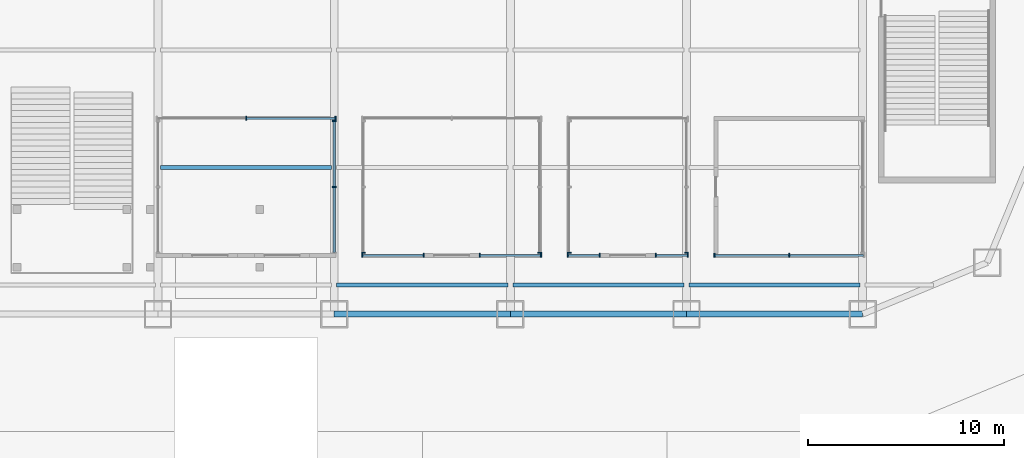
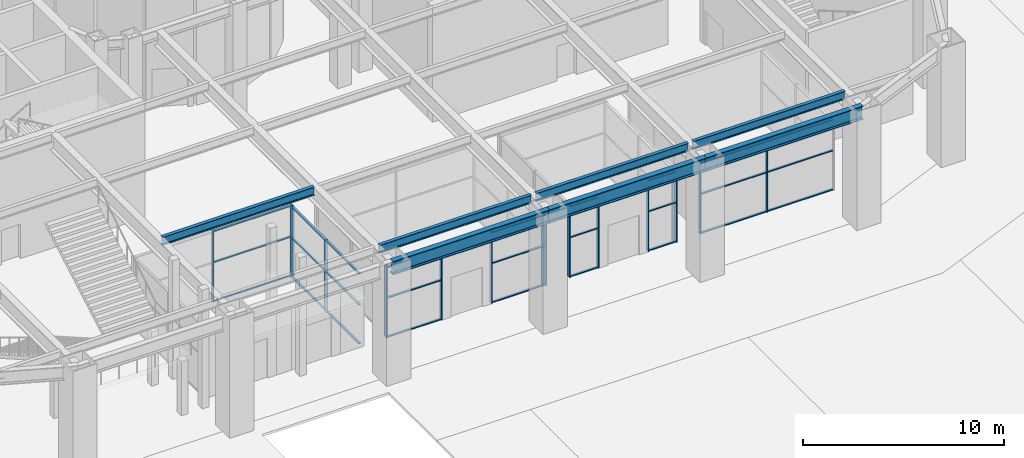
# One storey, part 3 of 20: 45 members, 7 beams, 11 elements without a shape of their own.
"""IFC4 building model written with IfcOpenShell, lengths in metres."""

from ifc_helpers import new_model, si_unit, direction, frame, origin, origin_2d, place, context, subcontext, project, spatial, rectangle, i_section, extrude, material, layer, layer_set, material_profile, profile_set, type_object, element, aggregate, save


model = new_model("IFC4")

# Units and contexts
model_context = context("Model", 3, precision=1e-05, world=origin(), true_north=direction((0.0, 1.0)))
body_context = subcontext(model_context, "Body", "Model", "MODEL_VIEW")
ifc_project = project(units=[si_unit("LENGTHUNIT", "METRE"), si_unit("AREAUNIT", "SQUARE_METRE"), si_unit("VOLUMEUNIT", "CUBIC_METRE"), si_unit("PLANEANGLEUNIT", "RADIAN"), si_unit("MASSUNIT", "GRAM", prefix="KILO")], contexts=[model_context])

# Site, building, storey
site_placement = place(None, origin())
site = spatial("IfcSite", under=ifc_project, at=site_placement, CompositionType="ELEMENT")
building_placement = place(site_placement, origin())
building = spatial("IfcBuilding", under=site, at=building_placement, Name="Siwar Civic Tower", CompositionType="ELEMENT")
storey_placement = place(building_placement, origin())
storey = spatial("IfcBuildingStorey", under=building, at=storey_placement, Name="L00", CompositionType="ELEMENT", Elevation=0.0)

# Curtain wall, members
ifc_material_1 = material(Name="Aluminium and glass", Category="aluminium")
ifc_layer = layer(ifc_material_1, 0.199951171875)
ifc_layer_set = layer_set([ifc_layer], Name="Aluminium and glass")
curtain_wall_type = type_object("IfcCurtainWallType", Name="GND-CWG", PredefinedType="NOTDEFINED", material=ifc_layer_set)
curtain_wall_1_placement = place(storey_placement, origin())
curtain_wall_1 = element("IfcCurtainWall", 1, at=curtain_wall_1_placement, inside=storey, type_object=curtain_wall_type, Name="Glazed screen P01", PredefinedType="NOTDEFINED")
ifc_material_2 = material(Name="Aluminium", Category="aluminium")
ifc_material_profile_1 = material_profile(ifc_material_2, rectangle(XDim=0.199951171875, YDim=0.06005859375, at=origin_2d()), Name="AL 200x60")
ifc_profile_set_1 = profile_set([ifc_material_profile_1], Name="Aluminium")
member_type_1 = type_object("IfcMemberType", Name="GND-CWG-MULLION", PredefinedType="MULLION", material=ifc_profile_set_1)
member_1_placement = place(storey_placement, frame((-4.5, -25.0, 0.0), z_axis=(0.0, 0.0, 1.0), x_axis=(-1.0, 0.0, 0.0)))
member_1 = element("IfcMember", 2, at=member_1_placement, type_object=member_type_1, Name="CW-G mullion 2", PredefinedType="MULLION", context=body_context, shape_type="SweptSolid", body=[
    extrude(rectangle(XDim=0.199951171875, YDim=0.06005859375, at=origin_2d()), origin(), (0.0, 0.0, 1.0), 4.300048828125),
])
member_2_placement = place(storey_placement, frame((-4.5, -21.6298828125, 0.0), z_axis=(0.0, 0.0, 1.0), x_axis=(-1.0, 0.0, 0.0)))
member_2 = element("IfcMember", 3, at=member_2_placement, type_object=member_type_1, Name="CW-G mullion 3", PredefinedType="MULLION", context=body_context, shape_type="SweptSolid", body=[
    extrude(rectangle(XDim=0.199951171875, YDim=0.06005859375, at=origin_2d()), origin(), (0.0, 0.0, 1.0), 4.300048828125),
])

curtain_wall_2_placement = place(storey_placement, origin())
curtain_wall_2 = element("IfcCurtainWall", 4, at=curtain_wall_2_placement, inside=storey, type_object=curtain_wall_type, Name="Glazed screen P01", PredefinedType="NOTDEFINED")
member_3_placement = place(storey_placement, frame((-9.0, -21.5, 0.0), z_axis=(0.0, 0.0, 1.0), x_axis=(0.0, 1.0, 0.0)))
member_3 = element("IfcMember", 5, at=member_3_placement, type_object=member_type_1, Name="CW-G mullion 2", PredefinedType="MULLION", context=body_context, shape_type="SweptSolid", body=[
    extrude(rectangle(XDim=0.199951171875, YDim=0.06005859375, at=origin_2d()), origin(), (0.0, 0.0, 1.0), 4.300048828125),
])
member_4_placement = place(storey_placement, frame((-4.429931640625, -21.5, 0.0), z_axis=(0.0, 0.0, 1.0), x_axis=(0.0, 1.0, 0.0)))
member_4 = element("IfcMember", 6, at=member_4_placement, type_object=member_type_1, Name="CW-G mullion 3", PredefinedType="MULLION", context=body_context, shape_type="SweptSolid", body=[
    extrude(rectangle(XDim=0.199951171875, YDim=0.06005859375, at=origin_2d()), origin(), (0.0, 0.0, 1.0), 4.300048828125),
])

curtain_wall_3_placement = place(storey_placement, origin())
curtain_wall_3 = element("IfcCurtainWall", 7, at=curtain_wall_3_placement, inside=storey, type_object=curtain_wall_type, Name="Glazed screen P04", PredefinedType="NOTDEFINED")
member_5_placement = place(storey_placement, frame((7.429931640625, -28.5, 0.0), z_axis=(0.0, 0.0, 1.0), x_axis=(0.0, 1.0, 0.0)))
member_5 = element("IfcMember", 8, at=member_5_placement, type_object=member_type_1, Name="CW-G mullion 1", PredefinedType="MULLION", context=body_context, shape_type="SweptSolid", body=[
    extrude(rectangle(XDim=0.199951171875, YDim=0.06005859375, at=origin_2d()), origin(), (0.0, 0.0, 1.0), 4.300048828125),
])
member_6_placement = place(storey_placement, frame((9.070068359375, -28.5, 0.0), z_axis=(0.0, 0.0, 1.0), x_axis=(0.0, 1.0, 0.0)))
member_6 = element("IfcMember", 9, at=member_6_placement, type_object=member_type_1, Name="CW-G mullion 2", PredefinedType="MULLION", context=body_context, shape_type="SweptSolid", body=[
    extrude(rectangle(XDim=0.199951171875, YDim=0.06005859375, at=origin_2d()), origin(), (0.0, 0.0, 1.0), 4.300048828125),
])

curtain_wall_4_placement = place(storey_placement, origin())
curtain_wall_4 = element("IfcCurtainWall", 10, at=curtain_wall_4_placement, inside=storey, type_object=curtain_wall_type, Name="Glazed screen P04", PredefinedType="NOTDEFINED")
member_7_placement = place(storey_placement, frame((11.929931640625, -28.5, 0.0), z_axis=(0.0, 0.0, 1.0), x_axis=(0.0, 1.0, 0.0)))
member_7 = element("IfcMember", 11, at=member_7_placement, type_object=member_type_1, Name="CW-G mullion 1", PredefinedType="MULLION", context=body_context, shape_type="SweptSolid", body=[
    extrude(rectangle(XDim=0.199951171875, YDim=0.06005859375, at=origin_2d()), origin(), (0.0, 0.0, 1.0), 4.300048828125),
])
member_8_placement = place(storey_placement, frame((13.570068359375, -28.5, 0.0), z_axis=(0.0, 0.0, 1.0), x_axis=(0.0, 1.0, 0.0)))
member_8 = element("IfcMember", 12, at=member_8_placement, type_object=member_type_1, Name="CW-G mullion 2", PredefinedType="MULLION", context=body_context, shape_type="SweptSolid", body=[
    extrude(rectangle(XDim=0.199951171875, YDim=0.06005859375, at=origin_2d()), origin(), (0.0, 0.0, 1.0), 4.300048828125),
])

# Curtain wall, member
curtain_wall_5_placement = place(storey_placement, origin())
curtain_wall_5 = element("IfcCurtainWall", 13, at=curtain_wall_5_placement, inside=storey, type_object=curtain_wall_type, Name="Glazed screen P04", PredefinedType="NOTDEFINED")
member_9_placement = place(storey_placement, frame((13.5, -28.3701171875, 0.0), z_axis=(0.0, 0.0, 1.0), x_axis=(-1.0, 0.0, 0.0)))
member_9 = element("IfcMember", 14, at=member_9_placement, type_object=member_type_1, Name="CW-G mullion 1", PredefinedType="MULLION", context=body_context, shape_type="SweptSolid", body=[
    extrude(rectangle(XDim=0.199951171875, YDim=0.06005859375, at=origin_2d()), origin(), (0.0, 0.0, 1.0), 4.300048828125),
])
aggregate(curtain_wall_5, [member_9])

curtain_wall_6_placement = place(storey_placement, origin())
curtain_wall_6 = element("IfcCurtainWall", 15, at=curtain_wall_6_placement, inside=storey, type_object=curtain_wall_type, Name="Glazed screen P04", PredefinedType="NOTDEFINED")
member_10_placement = place(storey_placement, frame((7.5, -28.3701171875, 0.0), z_axis=(0.0, 0.0, 1.0), x_axis=(-1.0, 0.0, 0.0)))
member_10 = element("IfcMember", 16, at=member_10_placement, type_object=member_type_1, Name="CW-G mullion 1", PredefinedType="MULLION", context=body_context, shape_type="SweptSolid", body=[
    extrude(rectangle(XDim=0.199951171875, YDim=0.06005859375, at=origin_2d()), origin(), (0.0, 0.0, 1.0), 4.300048828125),
])
aggregate(curtain_wall_6, [member_10])

# Curtain wall, members
curtain_wall_7_placement = place(storey_placement, origin())
curtain_wall_7 = element("IfcCurtainWall", 17, at=curtain_wall_7_placement, inside=storey, type_object=curtain_wall_type, Name="Glazed screen P05", PredefinedType="NOTDEFINED")
member_11_placement = place(storey_placement, frame((-3.070068359375, -28.5, 0.0), z_axis=(0.0, 0.0, 1.0), x_axis=(0.0, 1.0, 0.0)))
member_11 = element("IfcMember", 18, at=member_11_placement, type_object=member_type_1, Name="CW-G mullion 1", PredefinedType="MULLION", context=body_context, shape_type="SweptSolid", body=[
    extrude(rectangle(XDim=0.199951171875, YDim=0.06005859375, at=origin_2d()), origin(), (0.0, 0.0, 1.0), 4.300048828125),
])
member_12_placement = place(storey_placement, frame((0.070068359375, -28.5, 0.0), z_axis=(0.0, 0.0, 1.0), x_axis=(0.0, 1.0, 0.0)))
member_12 = element("IfcMember", 19, at=member_12_placement, type_object=member_type_1, Name="CW-G mullion 2", PredefinedType="MULLION", context=body_context, shape_type="SweptSolid", body=[
    extrude(rectangle(XDim=0.199951171875, YDim=0.06005859375, at=origin_2d()), origin(), (0.0, 0.0, 1.0), 4.300048828125),
])

curtain_wall_8_placement = place(storey_placement, origin())
curtain_wall_8 = element("IfcCurtainWall", 20, at=curtain_wall_8_placement, inside=storey, type_object=curtain_wall_type, Name="Glazed screen P05", PredefinedType="NOTDEFINED")
member_13_placement = place(storey_placement, frame((2.929931640625, -28.5, 0.0), z_axis=(0.0, 0.0, 1.0), x_axis=(0.0, 1.0, 0.0)))
member_13 = element("IfcMember", 21, at=member_13_placement, type_object=member_type_1, Name="CW-G mullion 1", PredefinedType="MULLION", context=body_context, shape_type="SweptSolid", body=[
    extrude(rectangle(XDim=0.199951171875, YDim=0.06005859375, at=origin_2d()), origin(), (0.0, 0.0, 1.0), 4.300048828125),
])
member_14_placement = place(storey_placement, frame((6.070068359375, -28.5, 0.0), z_axis=(0.0, 0.0, 1.0), x_axis=(0.0, 1.0, 0.0)))
member_14 = element("IfcMember", 22, at=member_14_placement, type_object=member_type_1, Name="CW-G mullion 2", PredefinedType="MULLION", context=body_context, shape_type="SweptSolid", body=[
    extrude(rectangle(XDim=0.199951171875, YDim=0.06005859375, at=origin_2d()), origin(), (0.0, 0.0, 1.0), 4.300048828125),
])

# Curtain wall, member
curtain_wall_9_placement = place(storey_placement, origin())
curtain_wall_9 = element("IfcCurtainWall", 23, at=curtain_wall_9_placement, inside=storey, type_object=curtain_wall_type, Name="Glazed screen P05", PredefinedType="NOTDEFINED")
member_15_placement = place(storey_placement, frame((6.0, -28.3701171875, 0.0), z_axis=(0.0, 0.0, 1.0), x_axis=(-1.0, 0.0, 0.0)))
member_15 = element("IfcMember", 24, at=member_15_placement, type_object=member_type_1, Name="CW-G mullion 1", PredefinedType="MULLION", context=body_context, shape_type="SweptSolid", body=[
    extrude(rectangle(XDim=0.199951171875, YDim=0.06005859375, at=origin_2d()), origin(), (0.0, 0.0, 1.0), 4.300048828125),
])
aggregate(curtain_wall_9, [member_15])

curtain_wall_10_placement = place(storey_placement, origin())
curtain_wall_10 = element("IfcCurtainWall", 25, at=curtain_wall_10_placement, inside=storey, type_object=curtain_wall_type, Name="Glazed screen P05", PredefinedType="NOTDEFINED")
member_16_placement = place(storey_placement, frame((-3.0, -28.3701171875, 0.0), z_axis=(0.0, 0.0, 1.0), x_axis=(-1.0, 0.0, 0.0)))
member_16 = element("IfcMember", 26, at=member_16_placement, type_object=member_type_1, Name="CW-G mullion 1", PredefinedType="MULLION", context=body_context, shape_type="SweptSolid", body=[
    extrude(rectangle(XDim=0.199951171875, YDim=0.06005859375, at=origin_2d()), origin(), (0.0, 0.0, 1.0), 4.300048828125),
])
aggregate(curtain_wall_10, [member_16])

# Curtain wall, members
curtain_wall_11_placement = place(storey_placement, origin())
curtain_wall_11 = element("IfcCurtainWall", 27, at=curtain_wall_11_placement, inside=storey, type_object=curtain_wall_type, Name="Glazed screen P11", PredefinedType="NOTDEFINED")
member_17_placement = place(storey_placement, frame((14.929931640625, -28.5, 0.0), z_axis=(0.0, 0.0, 1.0), x_axis=(0.0, 1.0, 0.0)))
member_17 = element("IfcMember", 28, at=member_17_placement, type_object=member_type_1, Name="CW-G mullion 1", PredefinedType="MULLION", context=body_context, shape_type="SweptSolid", body=[
    extrude(rectangle(XDim=0.199951171875, YDim=0.06005859375, at=origin_2d()), origin(), (0.0, 0.0, 1.0), 4.300048828125),
])
member_18_placement = place(storey_placement, frame((18.75, -28.5, 0.0), z_axis=(0.0, 0.0, 1.0), x_axis=(0.0, 1.0, 0.0)))
member_18 = element("IfcMember", 29, at=member_18_placement, type_object=member_type_1, Name="CW-G mullion 2", PredefinedType="MULLION", context=body_context, shape_type="SweptSolid", body=[
    extrude(rectangle(XDim=0.199951171875, YDim=0.06005859375, at=origin_2d()), origin(), (0.0, 0.0, 1.0), 4.300048828125),
])

# Member
ifc_material_3 = material(Name="Aluminium", Category="aluminium")
ifc_material_profile_2 = material_profile(ifc_material_3, rectangle(XDim=0.1201171875, YDim=0.06005859375, at=origin_2d()), Name="AL 120x60")
ifc_profile_set_2 = profile_set([ifc_material_profile_2], Name="Aluminium")
member_type_2 = type_object("IfcMemberType", Name="GND-CWG-TRANSOM", PredefinedType="USERDEFINED", material=ifc_profile_set_2)
member_19_placement = place(storey_placement, frame((-4.5, -28.340087890625, 0.030029296875), z_axis=(0.0, 1.0, 0.0), x_axis=(-1.0, 0.0, 0.0)))
member_19 = element("IfcMember", 30, at=member_19_placement, type_object=member_type_2, Name="CW-G transom 1.1", ObjectType="TRANSOM", PredefinedType="USERDEFINED", context=body_context, shape_type="SweptSolid", body=[
    extrude(rectangle(XDim=0.1201171875, YDim=0.06005859375, at=origin_2d()), origin(), (0.0, 0.0, 1.0), 3.31005859375),
])

member_20_placement = place(storey_placement, frame((-4.5, -28.340087890625, 2.39990234375), z_axis=(0.0, 1.0, 0.0), x_axis=(-1.0, 0.0, 0.0)))
member_20 = element("IfcMember", 31, at=member_20_placement, type_object=member_type_2, Name="CW-G transom 1.2", ObjectType="TRANSOM", PredefinedType="USERDEFINED", context=body_context, shape_type="SweptSolid", body=[
    extrude(rectangle(XDim=0.1201171875, YDim=0.06005859375, at=origin_2d()), origin(), (0.0, 0.0, 1.0), 3.31005859375),
])

member_21_placement = place(storey_placement, frame((-4.5, -28.340087890625, 4.27001953125), z_axis=(0.0, 1.0, 0.0), x_axis=(-1.0, 0.0, 0.0)))
member_21 = element("IfcMember", 32, at=member_21_placement, type_object=member_type_2, Name="CW-G transom 1.3", ObjectType="TRANSOM", PredefinedType="USERDEFINED", context=body_context, shape_type="SweptSolid", body=[
    extrude(rectangle(XDim=0.1201171875, YDim=0.06005859375, at=origin_2d()), origin(), (0.0, 0.0, 1.0), 3.31005859375),
])

member_22_placement = place(storey_placement, frame((-4.5, -24.969970703125, 0.030029296875), z_axis=(0.0, 1.0, 0.0), x_axis=(-1.0, 0.0, 0.0)))
member_22 = element("IfcMember", 33, at=member_22_placement, type_object=member_type_2, Name="CW-G transom 2.1", ObjectType="TRANSOM", PredefinedType="USERDEFINED", context=body_context, shape_type="SweptSolid", body=[
    extrude(rectangle(XDim=0.1201171875, YDim=0.06005859375, at=origin_2d()), origin(), (0.0, 0.0, 1.0), 3.31005859375),
])

member_23_placement = place(storey_placement, frame((-4.5, -24.969970703125, 2.39990234375), z_axis=(0.0, 1.0, 0.0), x_axis=(-1.0, 0.0, 0.0)))
member_23 = element("IfcMember", 34, at=member_23_placement, type_object=member_type_2, Name="CW-G transom 2.2", ObjectType="TRANSOM", PredefinedType="USERDEFINED", context=body_context, shape_type="SweptSolid", body=[
    extrude(rectangle(XDim=0.1201171875, YDim=0.06005859375, at=origin_2d()), origin(), (0.0, 0.0, 1.0), 3.31005859375),
])

member_24_placement = place(storey_placement, frame((-4.5, -24.969970703125, 4.27001953125), z_axis=(0.0, 1.0, 0.0), x_axis=(-1.0, 0.0, 0.0)))
member_24 = element("IfcMember", 35, at=member_24_placement, type_object=member_type_2, Name="CW-G transom 2.3", ObjectType="TRANSOM", PredefinedType="USERDEFINED", context=body_context, shape_type="SweptSolid", body=[
    extrude(rectangle(XDim=0.1201171875, YDim=0.06005859375, at=origin_2d()), origin(), (0.0, 0.0, 1.0), 3.31005859375),
])

aggregate(curtain_wall_1, [member_1, member_2, member_19, member_20, member_21, member_22, member_23, member_24])

member_25_placement = place(storey_placement, frame((-8.969970703125, -21.5, 0.030029296875), z_axis=(1.0, 0.0, 0.0), x_axis=(0.0, 1.0, 0.0)))
member_25 = element("IfcMember", 36, at=member_25_placement, type_object=member_type_2, Name="CW-G transom 2.1", ObjectType="TRANSOM", PredefinedType="USERDEFINED", context=body_context, shape_type="SweptSolid", body=[
    extrude(rectangle(XDim=0.1201171875, YDim=0.06005859375, at=origin_2d()), origin(), (0.0, 0.0, 1.0), 4.510009765625),
])

member_26_placement = place(storey_placement, frame((-8.969970703125, -21.5, 2.39990234375), z_axis=(1.0, 0.0, 0.0), x_axis=(0.0, 1.0, 0.0)))
member_26 = element("IfcMember", 37, at=member_26_placement, type_object=member_type_2, Name="CW-G transom 2.2", ObjectType="TRANSOM", PredefinedType="USERDEFINED", context=body_context, shape_type="SweptSolid", body=[
    extrude(rectangle(XDim=0.1201171875, YDim=0.06005859375, at=origin_2d()), origin(), (0.0, 0.0, 1.0), 4.510009765625),
])

member_27_placement = place(storey_placement, frame((-8.969970703125, -21.5, 4.27001953125), z_axis=(1.0, 0.0, 0.0), x_axis=(0.0, 1.0, 0.0)))
member_27 = element("IfcMember", 38, at=member_27_placement, type_object=member_type_2, Name="CW-G transom 2.3", ObjectType="TRANSOM", PredefinedType="USERDEFINED", context=body_context, shape_type="SweptSolid", body=[
    extrude(rectangle(XDim=0.1201171875, YDim=0.06005859375, at=origin_2d()), origin(), (0.0, 0.0, 1.0), 4.510009765625),
])

aggregate(curtain_wall_2, [member_3, member_4, member_25, member_26, member_27])

member_28_placement = place(storey_placement, frame((7.4599609375, -28.5, 0.030029296875), z_axis=(1.0, 0.0, 0.0), x_axis=(0.0, 1.0, 0.0)))
member_28 = element("IfcMember", 39, at=member_28_placement, type_object=member_type_2, Name="CW-G transom 1.1", ObjectType="TRANSOM", PredefinedType="USERDEFINED", context=body_context, shape_type="SweptSolid", body=[
    extrude(rectangle(XDim=0.1201171875, YDim=0.06005859375, at=origin_2d()), origin(), (0.0, 0.0, 1.0), 1.580078125),
])

member_29_placement = place(storey_placement, frame((7.4599609375, -28.5, 2.39990234375), z_axis=(1.0, 0.0, 0.0), x_axis=(0.0, 1.0, 0.0)))
member_29 = element("IfcMember", 40, at=member_29_placement, type_object=member_type_2, Name="CW-G transom 1.2", ObjectType="TRANSOM", PredefinedType="USERDEFINED", context=body_context, shape_type="SweptSolid", body=[
    extrude(rectangle(XDim=0.1201171875, YDim=0.06005859375, at=origin_2d()), origin(), (0.0, 0.0, 1.0), 1.580078125),
])

member_30_placement = place(storey_placement, frame((7.4599609375, -28.5, 4.27001953125), z_axis=(1.0, 0.0, 0.0), x_axis=(0.0, 1.0, 0.0)))
member_30 = element("IfcMember", 41, at=member_30_placement, type_object=member_type_2, Name="CW-G transom 1.3", ObjectType="TRANSOM", PredefinedType="USERDEFINED", context=body_context, shape_type="SweptSolid", body=[
    extrude(rectangle(XDim=0.1201171875, YDim=0.06005859375, at=origin_2d()), origin(), (0.0, 0.0, 1.0), 1.580078125),
])

aggregate(curtain_wall_3, [member_5, member_6, member_28, member_29, member_30])

member_31_placement = place(storey_placement, frame((11.9599609375, -28.5, 0.030029296875), z_axis=(1.0, 0.0, 0.0), x_axis=(0.0, 1.0, 0.0)))
member_31 = element("IfcMember", 42, at=member_31_placement, type_object=member_type_2, Name="CW-G transom 1.1", ObjectType="TRANSOM", PredefinedType="USERDEFINED", context=body_context, shape_type="SweptSolid", body=[
    extrude(rectangle(XDim=0.1201171875, YDim=0.06005859375, at=origin_2d()), origin(), (0.0, 0.0, 1.0), 1.580078125),
])

member_32_placement = place(storey_placement, frame((11.9599609375, -28.5, 2.39990234375), z_axis=(1.0, 0.0, 0.0), x_axis=(0.0, 1.0, 0.0)))
member_32 = element("IfcMember", 43, at=member_32_placement, type_object=member_type_2, Name="CW-G transom 1.2", ObjectType="TRANSOM", PredefinedType="USERDEFINED", context=body_context, shape_type="SweptSolid", body=[
    extrude(rectangle(XDim=0.1201171875, YDim=0.06005859375, at=origin_2d()), origin(), (0.0, 0.0, 1.0), 1.580078125),
])

member_33_placement = place(storey_placement, frame((11.9599609375, -28.5, 4.27001953125), z_axis=(1.0, 0.0, 0.0), x_axis=(0.0, 1.0, 0.0)))
member_33 = element("IfcMember", 44, at=member_33_placement, type_object=member_type_2, Name="CW-G transom 1.3", ObjectType="TRANSOM", PredefinedType="USERDEFINED", context=body_context, shape_type="SweptSolid", body=[
    extrude(rectangle(XDim=0.1201171875, YDim=0.06005859375, at=origin_2d()), origin(), (0.0, 0.0, 1.0), 1.580078125),
])

aggregate(curtain_wall_4, [member_7, member_8, member_31, member_32, member_33])

member_34_placement = place(storey_placement, frame((-3.0400390625, -28.5, 0.030029296875), z_axis=(1.0, 0.0, 0.0), x_axis=(0.0, 1.0, 0.0)))
member_34 = element("IfcMember", 45, at=member_34_placement, type_object=member_type_2, Name="CW-G transom 1.1", ObjectType="TRANSOM", PredefinedType="USERDEFINED", context=body_context, shape_type="SweptSolid", body=[
    extrude(rectangle(XDim=0.1201171875, YDim=0.06005859375, at=origin_2d()), origin(), (0.0, 0.0, 1.0), 3.080078125),
])

member_35_placement = place(storey_placement, frame((-3.0400390625, -28.5, 2.39990234375), z_axis=(1.0, 0.0, 0.0), x_axis=(0.0, 1.0, 0.0)))
member_35 = element("IfcMember", 46, at=member_35_placement, type_object=member_type_2, Name="CW-G transom 1.2", ObjectType="TRANSOM", PredefinedType="USERDEFINED", context=body_context, shape_type="SweptSolid", body=[
    extrude(rectangle(XDim=0.1201171875, YDim=0.06005859375, at=origin_2d()), origin(), (0.0, 0.0, 1.0), 3.080078125),
])

member_36_placement = place(storey_placement, frame((-3.0400390625, -28.5, 4.27001953125), z_axis=(1.0, 0.0, 0.0), x_axis=(0.0, 1.0, 0.0)))
member_36 = element("IfcMember", 47, at=member_36_placement, type_object=member_type_2, Name="CW-G transom 1.3", ObjectType="TRANSOM", PredefinedType="USERDEFINED", context=body_context, shape_type="SweptSolid", body=[
    extrude(rectangle(XDim=0.1201171875, YDim=0.06005859375, at=origin_2d()), origin(), (0.0, 0.0, 1.0), 3.080078125),
])

aggregate(curtain_wall_7, [member_11, member_12, member_34, member_35, member_36])

member_37_placement = place(storey_placement, frame((2.9599609375, -28.5, 0.030029296875), z_axis=(1.0, 0.0, 0.0), x_axis=(0.0, 1.0, 0.0)))
member_37 = element("IfcMember", 48, at=member_37_placement, type_object=member_type_2, Name="CW-G transom 1.1", ObjectType="TRANSOM", PredefinedType="USERDEFINED", context=body_context, shape_type="SweptSolid", body=[
    extrude(rectangle(XDim=0.1201171875, YDim=0.06005859375, at=origin_2d()), origin(), (0.0, 0.0, 1.0), 3.080078125),
])

member_38_placement = place(storey_placement, frame((2.9599609375, -28.5, 2.39990234375), z_axis=(1.0, 0.0, 0.0), x_axis=(0.0, 1.0, 0.0)))
member_38 = element("IfcMember", 49, at=member_38_placement, type_object=member_type_2, Name="CW-G transom 1.2", ObjectType="TRANSOM", PredefinedType="USERDEFINED", context=body_context, shape_type="SweptSolid", body=[
    extrude(rectangle(XDim=0.1201171875, YDim=0.06005859375, at=origin_2d()), origin(), (0.0, 0.0, 1.0), 3.080078125),
])

member_39_placement = place(storey_placement, frame((2.9599609375, -28.5, 4.27001953125), z_axis=(1.0, 0.0, 0.0), x_axis=(0.0, 1.0, 0.0)))
member_39 = element("IfcMember", 50, at=member_39_placement, type_object=member_type_2, Name="CW-G transom 1.3", ObjectType="TRANSOM", PredefinedType="USERDEFINED", context=body_context, shape_type="SweptSolid", body=[
    extrude(rectangle(XDim=0.1201171875, YDim=0.06005859375, at=origin_2d()), origin(), (0.0, 0.0, 1.0), 3.080078125),
])

aggregate(curtain_wall_8, [member_13, member_14, member_37, member_38, member_39])

member_40_placement = place(storey_placement, frame((14.9599609375, -28.5, 0.030029296875), z_axis=(1.0, 0.0, 0.0), x_axis=(0.0, 1.0, 0.0)))
member_40 = element("IfcMember", 51, at=member_40_placement, type_object=member_type_2, Name="CW-G transom 1.1", ObjectType="TRANSOM", PredefinedType="USERDEFINED", context=body_context, shape_type="SweptSolid", body=[
    extrude(rectangle(XDim=0.1201171875, YDim=0.06005859375, at=origin_2d()), origin(), (0.0, 0.0, 1.0), 3.760009765625),
])

member_41_placement = place(storey_placement, frame((14.9599609375, -28.5, 2.39990234375), z_axis=(1.0, 0.0, 0.0), x_axis=(0.0, 1.0, 0.0)))
member_41 = element("IfcMember", 52, at=member_41_placement, type_object=member_type_2, Name="CW-G transom 1.2", ObjectType="TRANSOM", PredefinedType="USERDEFINED", context=body_context, shape_type="SweptSolid", body=[
    extrude(rectangle(XDim=0.1201171875, YDim=0.06005859375, at=origin_2d()), origin(), (0.0, 0.0, 1.0), 3.760009765625),
])

member_42_placement = place(storey_placement, frame((14.9599609375, -28.5, 4.27001953125), z_axis=(1.0, 0.0, 0.0), x_axis=(0.0, 1.0, 0.0)))
member_42 = element("IfcMember", 53, at=member_42_placement, type_object=member_type_2, Name="CW-G transom 1.3", ObjectType="TRANSOM", PredefinedType="USERDEFINED", context=body_context, shape_type="SweptSolid", body=[
    extrude(rectangle(XDim=0.1201171875, YDim=0.06005859375, at=origin_2d()), origin(), (0.0, 0.0, 1.0), 3.760009765625),
])

member_43_placement = place(storey_placement, frame((18.780029296875, -28.5, 0.030029296875), z_axis=(1.0, 0.0, 0.0), x_axis=(0.0, 1.0, 0.0)))
member_43 = element("IfcMember", 54, at=member_43_placement, type_object=member_type_2, Name="CW-G transom 2.1", ObjectType="TRANSOM", PredefinedType="USERDEFINED", context=body_context, shape_type="SweptSolid", body=[
    extrude(rectangle(XDim=0.1201171875, YDim=0.06005859375, at=origin_2d()), origin(), (0.0, 0.0, 1.0), 3.760009765625),
])

member_44_placement = place(storey_placement, frame((18.780029296875, -28.5, 2.39990234375), z_axis=(1.0, 0.0, 0.0), x_axis=(0.0, 1.0, 0.0)))
member_44 = element("IfcMember", 55, at=member_44_placement, type_object=member_type_2, Name="CW-G transom 2.2", ObjectType="TRANSOM", PredefinedType="USERDEFINED", context=body_context, shape_type="SweptSolid", body=[
    extrude(rectangle(XDim=0.1201171875, YDim=0.06005859375, at=origin_2d()), origin(), (0.0, 0.0, 1.0), 3.760009765625),
])

member_45_placement = place(storey_placement, frame((18.780029296875, -28.5, 4.27001953125), z_axis=(1.0, 0.0, 0.0), x_axis=(0.0, 1.0, 0.0)))
member_45 = element("IfcMember", 56, at=member_45_placement, type_object=member_type_2, Name="CW-G transom 2.3", ObjectType="TRANSOM", PredefinedType="USERDEFINED", context=body_context, shape_type="SweptSolid", body=[
    extrude(rectangle(XDim=0.1201171875, YDim=0.06005859375, at=origin_2d()), origin(), (0.0, 0.0, 1.0), 3.760009765625),
])

aggregate(curtain_wall_11, [member_17, member_18, member_40, member_41, member_42, member_43, member_44, member_45])

# Beams
ifc_material_4 = material(Name="Steel S355", Category="steel")
ifc_material_profile_3 = material_profile(ifc_material_4, i_section(OverallWidth=0.199951171875, OverallDepth=0.5, WebThickness=0.01025390625, FlangeThickness=0.01611328125, FilletRadius=0.02099609375, at=origin_2d()), Name="IPE500")
ifc_profile_set_3 = profile_set([ifc_material_profile_3], Name="Steel S355")
beam_type_1 = type_object("IfcBeamType", Name="STR-FB-IPE500", PredefinedType="JOIST", material=ifc_profile_set_3)
for number, where, z_axis, x_axis, name in (
    (57, (-4.3701171875, -30.0, 6.75), (1.0, 0.0, 0.0), (0.0, 1.0, 0.0), "L00/bm/F004"),
    (58, (4.6298828125, -30.0, 6.75), (1.0, 0.0, 0.0), (0.0, 1.0, 0.0), "L00/bm/F005"),
    (59, (13.6298828125, -30.0, 6.75), (1.0, 0.0, 0.0), (0.0, 1.0, 0.0), "L00/bm/F006"),
    (60, (-13.3701171875, -24.0, 6.75), (1.0, 0.0, 0.0), (0.0, 1.0, 0.0), "L00/bm/F009"),
):
    element("IfcBeam", number, at=place(storey_placement, frame(where, z_axis=z_axis, x_axis=x_axis)), inside=storey, type_object=beam_type_1, Name=name, PredefinedType="JOIST", context=body_context, shape_type="SweptSolid", body=[
        extrude(i_section(OverallWidth=0.199951171875, OverallDepth=0.5, WebThickness=0.01025390625, FlangeThickness=0.01611328125, FilletRadius=0.02099609375, at=origin_2d()), origin(), (0.0, 0.0, 1.0), 8.740234375),
    ])
ifc_material_5 = material(Name="Steel S355", Category="steel")
ifc_material_profile_4 = material_profile(ifc_material_5, i_section(OverallWidth=0.302978515625, OverallDepth=0.81396484375, WebThickness=0.02099609375, FlangeThickness=0.0400390625, FilletRadius=0.030029296875, at=origin_2d()), Name="HEM800")
ifc_profile_set_4 = profile_set([ifc_material_profile_4], Name="Steel S355")
beam_type_2 = type_object("IfcBeamType", Name="STR-SB-HEM800", PredefinedType="BEAM", material=ifc_profile_set_4)
for number, where, z_axis, x_axis, name in (
    (61, (-4.5, -31.5, 6.593017578125), (1.0, 0.0, 0.0), (0.0, 1.0, 0.0), "L00/bm/SS-2"),
    (62, (4.5, -31.5, 6.593017578125), (1.0, 0.0, 0.0), (0.0, 1.0, 0.0), "L00/bm/SS-3"),
    (63, (13.5, -31.5, 6.593017578125), (1.0, 0.0, 0.0), (0.0, 1.0, 0.0), "L00/bm/SS-4"),
):
    element("IfcBeam", number, at=place(storey_placement, frame(where, z_axis=z_axis, x_axis=x_axis)), inside=storey, type_object=beam_type_2, Name=name, PredefinedType="BEAM", context=body_context, shape_type="SweptSolid", body=[
        extrude(i_section(OverallWidth=0.302978515625, OverallDepth=0.81396484375, WebThickness=0.02099609375, FlangeThickness=0.0400390625, FilletRadius=0.030029296875, at=origin_2d()), origin(), (0.0, 0.0, 1.0), 9.0),
    ])

save(model, "model.ifc")
